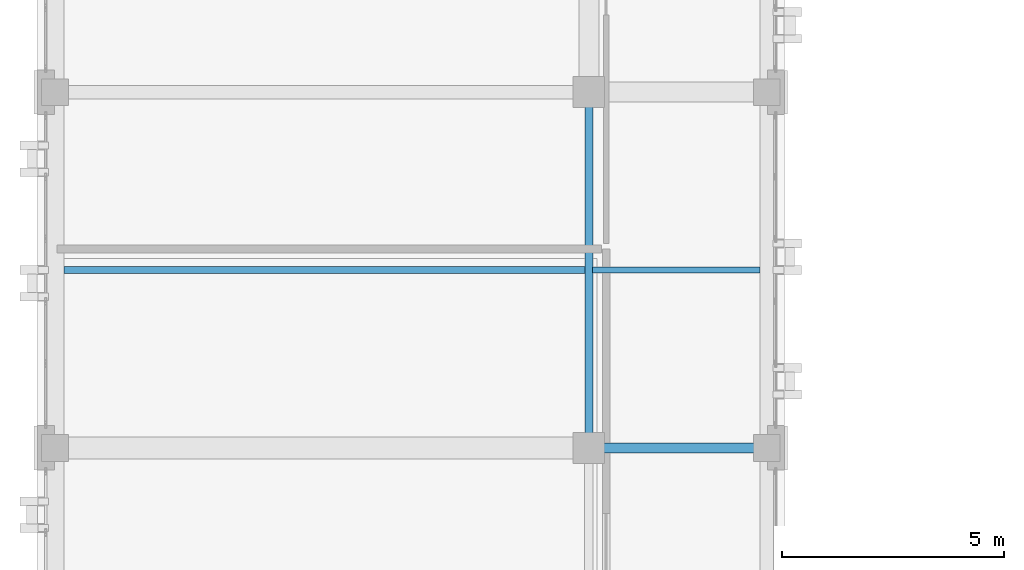
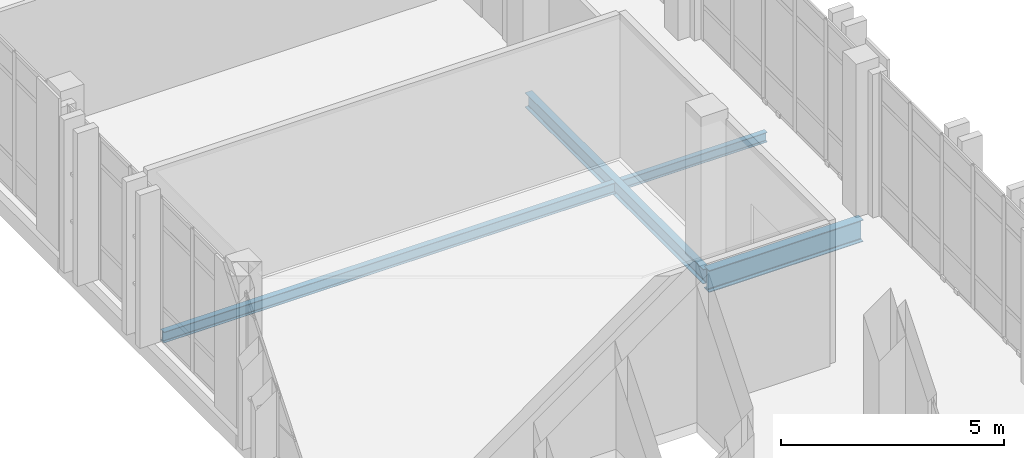
# One storey, part 11 of 90: 4 beams.
"""IFC4 building model written with IfcOpenShell, lengths in metres."""

from ifc_helpers import new_model, si_unit, direction, frame, origin, origin_2d, place, context, subcontext, project, spatial, i_section, extrude, material, material_profile, profile_set, type_object, element, save


model = new_model("IFC4")

# Units and contexts
model_context = context("Model", 3, precision=1e-05, world=origin(), true_north=direction((0.0, 1.0)))
body_context = subcontext(model_context, "Body", "Model", "MODEL_VIEW")
ifc_project = project(units=[si_unit("LENGTHUNIT", "METRE"), si_unit("AREAUNIT", "SQUARE_METRE"), si_unit("VOLUMEUNIT", "CUBIC_METRE"), si_unit("PLANEANGLEUNIT", "RADIAN"), si_unit("MASSUNIT", "GRAM", prefix="KILO")], contexts=[model_context])

# Site, building, storey
site_placement = place(None, origin())
site = spatial("IfcSite", under=ifc_project, at=site_placement, CompositionType="ELEMENT")
building_placement = place(site_placement, origin())
building = spatial("IfcBuilding", under=site, at=building_placement, Name="Qalavern Law Courts", CompositionType="ELEMENT")
storey_placement = place(building_placement, frame((0.0, 0.0, 22.800048828125)))
storey = spatial("IfcBuildingStorey", under=building, at=storey_placement, Name="L05", CompositionType="ELEMENT", Elevation=22.800048828125)

# Beams
ifc_material = material(Name="Steel S355", Category="steel")
ifc_material_profile_1 = material_profile(ifc_material, i_section(OverallWidth=0.179931640625, OverallDepth=0.39990234375, WebThickness=0.008544921875, FlangeThickness=0.013427734375, FilletRadius=0.02099609375, at=origin_2d()), Name="IPE 400")
ifc_profile_set_1 = profile_set([ifc_material_profile_1], Name="Steel S355")
beam_type_1 = type_object("IfcBeamType", Name="STR-BM-IPE400", PredefinedType="BEAM", material=ifc_profile_set_1)
beam_1_placement = place(storey_placement, frame((14.39990234375, 57.39990234375, -0.47509765625), z_axis=(0.0, 1.0, 0.0), x_axis=(-1.0, 0.0, 0.0)))
element("IfcBeam", 1, at=beam_1_placement, inside=storey, type_object=beam_type_1, Name="V3 Y-beam 2-3 L05", PredefinedType="BEAM", context=body_context, shape_type="SweptSolid", body=[
    extrude(i_section(OverallWidth=0.179931640625, OverallDepth=0.39990234375, WebThickness=0.008544921875, FlangeThickness=0.013427734375, FilletRadius=0.02099609375, at=origin_2d()), origin(), (0.0, 0.0, 1.0), 8.0),
])
ifc_material_profile_2 = material_profile(ifc_material, i_section(OverallWidth=0.219970703125, OverallDepth=0.60009765625, WebThickness=0.011962890625, FlangeThickness=0.01904296875, FilletRadius=0.02392578125, at=origin_2d()), Name="IPE 600")
ifc_profile_set_2 = profile_set([ifc_material_profile_2], Name="Steel S355")
beam_type_2 = type_object("IfcBeamType", Name="STR-BM-IPE600", PredefinedType="BEAM", material=ifc_profile_set_2)
beam_2_placement = place(storey_placement, frame((14.39990234375, 57.39990234375, -0.574951171875), z_axis=(1.0, 0.0, 0.0), x_axis=(0.0, 1.0, 0.0)))
element("IfcBeam", 2, at=beam_2_placement, inside=storey, type_object=beam_type_2, Name="V3 X-beam 3-2 L05", PredefinedType="BEAM", context=body_context, shape_type="SweptSolid", body=[
    extrude(i_section(OverallWidth=0.219970703125, OverallDepth=0.60009765625, WebThickness=0.011962890625, FlangeThickness=0.01904296875, FilletRadius=0.02392578125, at=origin_2d()), origin(), (0.0, 0.0, 1.0), 4.0),
])
ifc_material_profile_3 = material_profile(ifc_material, i_section(OverallWidth=0.135009765625, OverallDepth=0.27001953125, WebThickness=0.006591796875, FlangeThickness=0.01025390625, FilletRadius=0.014892578125, at=origin_2d()), Name="IPE 270")
ifc_profile_set_3 = profile_set([ifc_material_profile_3], Name="Steel S355")
beam_type_3 = type_object("IfcBeamType", Name="STR-JST-IPE270", PredefinedType="JOIST", material=ifc_profile_set_3)
beam_3_placement = place(storey_placement, frame((14.488037109375, 61.39990234375, -0.41015625), z_axis=(1.0, 0.0, 0.0), x_axis=(0.0, 1.0, 0.0)))
element("IfcBeam", 3, at=beam_3_placement, inside=storey, type_object=beam_type_3, Name="V3 secondary joist 2.3.1 L05", PredefinedType="JOIST", context=body_context, shape_type="SweptSolid", body=[
    extrude(i_section(OverallWidth=0.135009765625, OverallDepth=0.27001953125, WebThickness=0.006591796875, FlangeThickness=0.01025390625, FilletRadius=0.014892578125, at=origin_2d()), origin(), (0.0, 0.0, 1.0), 3.763916015625),
])
ifc_material_profile_4 = material_profile(ifc_material, i_section(OverallWidth=0.14990234375, OverallDepth=0.300048828125, WebThickness=0.007080078125, FlangeThickness=0.0107421875, FilletRadius=0.014892578125, at=origin_2d()), Name="IPE 300")
ifc_profile_set_4 = profile_set([ifc_material_profile_4], Name="Steel S355")
beam_type_4 = type_object("IfcBeamType", Name="STR-JST-IPE300", PredefinedType="JOIST", material=ifc_profile_set_4)
beam_4_placement = place(storey_placement, frame((2.597900390625, 61.39990234375, -0.425048828125), z_axis=(1.0, 0.0, 0.0), x_axis=(0.0, 1.0, 0.0)))
element("IfcBeam", 4, at=beam_4_placement, inside=storey, type_object=beam_type_4, Name="V3 secondary joist 1.3.1 L05", PredefinedType="JOIST", context=body_context, shape_type="SweptSolid", body=[
    extrude(i_section(OverallWidth=0.14990234375, OverallDepth=0.300048828125, WebThickness=0.007080078125, FlangeThickness=0.0107421875, FilletRadius=0.014892578125, at=origin_2d()), origin(), (0.0, 0.0, 1.0), 11.714111328125),
])

save(model, "model.ifc")
